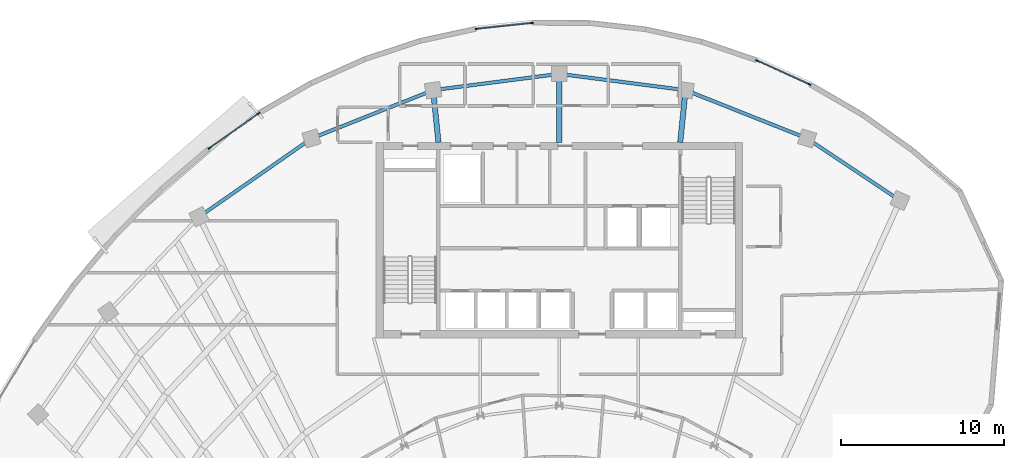
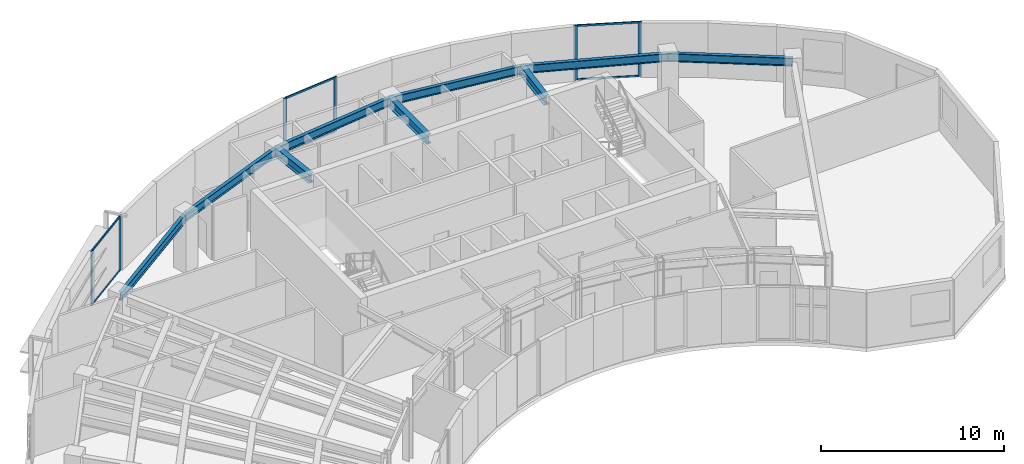
# One storey, part 4 of 12: 12 members, 9 beams, 3 elements without a shape of their own.
"""IFC4 building model written with IfcOpenShell, lengths in metres."""

import ifcopenshell
import ifcopenshell.guid

model = None  # the IFC model being written
_history = None  # IfcOwnerHistory: only IFC2X3 demands one
_inside = {}  # id of a spatial element -> (the spatial element, [elements in it])
_under = {}  # id of a project, library or spatial element -> (it, [spatial elements below it])
_declared = {}  # id of a project -> (the project, [libraries it declares])
_typed = {}  # id of a type object -> (the type object, [elements of that type])
_made_of = {}  # id of a material, layer set ... -> (it, [elements and type objects made of it])


def new_model(schema):
    """Start an empty IFC model of exactly this schema.

    Asked for "IFC4X3", IfcOpenShell would pick the latest addendum, in which some entities
    have other attributes; the version numbers below select the first issue.
    IFC2X3 requires an IfcOwnerHistory on every rooted entity: one is made here for all.
    """
    global model, _history
    if schema == "IFC4X3":
        model = ifcopenshell.file(schema_version=(4, 3, 0, 0))
    else:
        model = ifcopenshell.file(schema=schema)
    _inside.clear()
    _under.clear()
    _declared.clear()
    _typed.clear()
    _made_of.clear()
    _history = None
    if model.schema == "IFC2X3":
        org = make("IfcOrganization", Name="unknown")
        user = make(
            "IfcPersonAndOrganization",
            ThePerson=make("IfcPerson", FamilyName="unknown"),
            TheOrganization=org,
        )
        app = make(
            "IfcApplication",
            ApplicationDeveloper=org,
            Version="unknown",
            ApplicationFullName="unknown",
            ApplicationIdentifier="unknown",
        )
        _history = make(
            "IfcOwnerHistory",
            OwningUser=user,
            OwningApplication=app,
            ChangeAction="ADDED",
            CreationDate=0,
        )
    return model


def make(cls, **values):
    """One entity of the class cls with the attributes given. An attribute that is None is left unset."""
    return model.create_entity(
        cls, **{name: value for name, value in values.items() if value is not None}
    )


def rooted(cls, **values):
    """An entity with a GlobalId (a new one), such as an element, a storey or a relation."""
    return make(cls, GlobalId=ifcopenshell.guid.new(), OwnerHistory=_history, **values)


def si_unit(unit_type, name, prefix=None):
    """IfcSIUnit, for example si_unit("LENGTHUNIT", "METRE", prefix="MILLI")."""
    return make("IfcSIUnit", UnitType=unit_type, Prefix=prefix, Name=name)


def assignment(units):
    """IfcUnitAssignment: the units of a project."""
    return None if units is None else make("IfcUnitAssignment", Units=units)


def point(xyz):
    """IfcCartesianPoint."""
    return None if xyz is None else make("IfcCartesianPoint", Coordinates=xyz)


def direction(xyz):
    """IfcDirection."""
    return None if xyz is None else make("IfcDirection", DirectionRatios=xyz)


def frame(location, z_axis=None, x_axis=None):
    """IfcAxis2Placement3D, a coordinate frame: its origin and axes. An axis left out is left unset."""
    return make(
        "IfcAxis2Placement3D",
        Location=point(location),
        Axis=direction(z_axis),
        RefDirection=direction(x_axis),
    )


def frame_2d(location, x_axis=None):
    """IfcAxis2Placement2D, a coordinate frame in the plane: its origin and x axis."""
    return make(
        "IfcAxis2Placement2D", Location=point(location), RefDirection=direction(x_axis)
    )


def origin():
    """The frame at (0, 0, 0) with its axes left unset."""
    return frame((0.0, 0.0, 0.0))


def origin_2d():
    """The frame at (0, 0) in the plane with its x axis left unset."""
    return frame_2d((0.0, 0.0))


def place(relative_to, where):
    """IfcLocalPlacement: puts the frame where relative to a parent placement (None: the world)."""
    return make(
        "IfcLocalPlacement", PlacementRelTo=relative_to, RelativePlacement=where
    )


def context(
    kind, dimensions, precision=None, world=None, true_north=None, identifier=None
):
    """IfcGeometricRepresentationContext, for example the 3D "Model" context."""
    return make(
        "IfcGeometricRepresentationContext",
        ContextIdentifier=identifier,
        ContextType=kind,
        CoordinateSpaceDimension=dimensions,
        Precision=precision,
        WorldCoordinateSystem=world,
        TrueNorth=true_north,
    )


def subcontext(parent, identifier, kind, view, scale=None):
    """IfcGeometricRepresentationSubContext, for example "Body" below "Model"."""
    return make(
        "IfcGeometricRepresentationSubContext",
        ContextIdentifier=identifier,
        ContextType=kind,
        ParentContext=parent,
        TargetScale=scale,
        TargetView=view,
    )


def project(units=None, contexts=None):
    """IfcProject with its units and contexts."""
    return rooted(
        "IfcProject",
        Name="project",
        RepresentationContexts=contexts,
        UnitsInContext=assignment(units),
    )


def spatial(cls, under=None, at=None, **own):
    """A site, building, storey or space (cls), placed at a placement, below another one or the project."""
    s = rooted(cls, ObjectPlacement=at, **own)
    if under is not None:
        _under.setdefault(under.id(), (under, []))[1].append(s)
    return s


def profile(cls, at=None, kind="AREA", **sizes):
    """A parametric profile (cls). Its sizes go by their IFC names, for example OverallWidth=200.0."""
    return make(cls, ProfileType=kind, Position=at, **sizes)


def rectangle(**sizes):
    """IfcRectangleProfileDef."""
    return profile("IfcRectangleProfileDef", **sizes)


def i_section(**sizes):
    """IfcIShapeProfileDef."""
    return profile("IfcIShapeProfileDef", **sizes)


def extrude(swept, where, along, depth):
    """IfcExtrudedAreaSolid: the profile swept, set in the frame where, extruded along a direction by depth."""
    return make(
        "IfcExtrudedAreaSolid",
        SweptArea=swept,
        Position=where,
        ExtrudedDirection=direction(along),
        Depth=depth,
    )


def shape(context_of_items, identifier, shape_type, items):
    """IfcShapeRepresentation: the items that make up one representation, for example the "Body"."""
    return make(
        "IfcShapeRepresentation",
        ContextOfItems=context_of_items,
        RepresentationIdentifier=identifier,
        RepresentationType=shape_type,
        Items=items,
    )


def source(mapping_origin, context_of_items, identifier, shape_type, items):
    """IfcRepresentationMap: a shape defined once, which mapped items show again and again."""
    return make(
        "IfcRepresentationMap",
        MappingOrigin=mapping_origin,
        MappedRepresentation=shape(context_of_items, identifier, shape_type, items),
    )


def transform(
    local_origin,
    x_axis=None,
    y_axis=None,
    z_axis=None,
    scale=None,
    scale2=None,
    scale3=None,
    uniform=True,
):
    """IfcCartesianTransformationOperator3D, or its non-uniform kind. x_axis, y_axis, z_axis: its Axis1, 2, 3."""
    if uniform:
        return make(
            "IfcCartesianTransformationOperator3D",
            Axis1=direction(x_axis),
            Axis2=direction(y_axis),
            LocalOrigin=point(local_origin),
            Scale=scale,
            Axis3=direction(z_axis),
        )
    return make(
        "IfcCartesianTransformationOperator3DnonUniform",
        Axis1=direction(x_axis),
        Axis2=direction(y_axis),
        LocalOrigin=point(local_origin),
        Scale=scale,
        Axis3=direction(z_axis),
        Scale2=scale2,
        Scale3=scale3,
    )


def mapped(mapping_source, mapping_target):
    """IfcMappedItem: shows the shape of a source again, moved by a transform."""
    return make(
        "IfcMappedItem", MappingSource=mapping_source, MappingTarget=mapping_target
    )


def material(Name=None, Category=None):
    """IfcMaterial."""
    return make("IfcMaterial", Name=Name, Category=Category)


def layer(
    of_material, thickness, ventilated=None, Name=None, Category=None, Priority=None
):
    """IfcMaterialLayer: one layer of a wall or slab, of a material (None: an air gap)."""
    return make(
        "IfcMaterialLayer",
        Material=of_material,
        LayerThickness=thickness,
        IsVentilated=ventilated,
        Name=Name,
        Category=Category,
        Priority=Priority,
    )


def layer_set(layers, Name=None):
    """IfcMaterialLayerSet."""
    return make("IfcMaterialLayerSet", MaterialLayers=layers, LayerSetName=Name)


def material_profile(
    of_material, cross_section, Name=None, Category=None, Priority=None
):
    """IfcMaterialProfile: a cross section and its material."""
    return make(
        "IfcMaterialProfile",
        Name=Name,
        Material=of_material,
        Profile=cross_section,
        Priority=Priority,
        Category=Category,
    )


def profile_set(profiles, Name=None, composite=None):
    """IfcMaterialProfileSet."""
    return make(
        "IfcMaterialProfileSet",
        Name=Name,
        MaterialProfiles=profiles,
        CompositeProfile=composite,
    )


def made_of(thing, what):
    """Note that an element or type object is made of a material, layer set ...; save() writes the relation."""
    if what is not None:
        _made_of.setdefault(what.id(), (what, []))[1].append(thing)
    return thing


def type_object(cls, material=None, **own):
    """A type object (cls), such as IfcWallType, which elements share."""
    return made_of(rooted(cls, **own), material)


def element(
    cls,
    number,
    at=None,
    inside=None,
    cuts=None,
    type_object=None,
    material=None,
    context=None,
    identifier="Body",
    shape_type=None,
    held_by="IfcProductDefinitionShape",
    body=None,
    shapes=None,
    **own,
):
    """One element of the class cls, such as IfcWall. Its Tag is "e" and its number.

    at: its placement. inside: the storey or other place that contains it. cuts: it is an
    opening in that element (IfcRelVoidsElement). A single representation is given by context,
    identifier, shape_type and body (its items); several are given by shapes. held_by: the class
    of the entity that holds the representations. save() writes the other relations.
    """
    e = rooted(cls, Tag="e%d" % number, ObjectPlacement=at, **own)
    if body is not None:
        shapes = [shape(context, identifier, shape_type, body)]
    if shapes is not None:
        e.Representation = make(held_by, Representations=shapes)
    if inside is not None:
        _inside.setdefault(inside.id(), (inside, []))[1].append(e)
    if cuts is not None:
        rooted(
            "IfcRelVoidsElement", RelatingBuildingElement=cuts, RelatedOpeningElement=e
        )
    if type_object is not None:
        _typed.setdefault(type_object.id(), (type_object, []))[1].append(e)
    return made_of(e, material)


def aggregate(whole, parts):
    """IfcRelAggregates: a whole, such as a stair, and the parts it consists of."""
    return rooted("IfcRelAggregates", RelatingObject=whole, RelatedObjects=parts)


def save(model, path):
    """Write the relations noted so far, then the file.

    IfcRelAggregates (storeys below a building ...), IfcRelContainedInSpatialStructure (elements
    in a storey), IfcRelDefinesByType, IfcRelAssociatesMaterial and IfcRelDeclares: one each for
    every whole, place, type object, material and project.
    """
    for whole, parts in _under.values():
        aggregate(whole, parts)
    for where, things in _inside.values():
        rooted(
            "IfcRelContainedInSpatialStructure",
            RelatedElements=things,
            RelatingStructure=where,
        )
    for kind, things in _typed.values():
        rooted("IfcRelDefinesByType", RelatedObjects=things, RelatingType=kind)
    for what, things in _made_of.values():
        rooted("IfcRelAssociatesMaterial", RelatedObjects=things, RelatingMaterial=what)
    for by, libraries in _declared.values():
        rooted("IfcRelDeclares", RelatingContext=by, RelatedDefinitions=libraries)
    model.write(path)


model = new_model("IFC4")

# Units and contexts
model_context = context("Model", 3, precision=1e-05, world=origin(), true_north=direction((0.0, 1.0)))
body_context = subcontext(model_context, "Body", "Model", "MODEL_VIEW")
ifc_project = project(units=[si_unit("LENGTHUNIT", "METRE"), si_unit("AREAUNIT", "SQUARE_METRE"), si_unit("VOLUMEUNIT", "CUBIC_METRE"), si_unit("PLANEANGLEUNIT", "RADIAN"), si_unit("MASSUNIT", "GRAM", prefix="KILO")], contexts=[model_context])

# Site, building, storey
site_placement = place(None, origin())
site = spatial("IfcSite", under=ifc_project, at=site_placement, CompositionType="ELEMENT")
building_placement = place(site_placement, origin())
building = spatial("IfcBuilding", under=site, at=building_placement, Name="Breltana Convention Tower", CompositionType="ELEMENT")
storey_placement = place(building_placement, frame((0.0, 0.0, 243.0)))
storey = spatial("IfcBuildingStorey", under=building, at=storey_placement, Name="L59", CompositionType="ELEMENT", Elevation=243.0)

# Beams
ifc_material_1 = material(Name="Steel ASTM A992 Grade 50", Category="steel")
ifc_material_profile_1 = material_profile(ifc_material_1, i_section(OverallWidth=0.326904296875, OverallDepth=0.6220703125, WebThickness=0.015380859375, FlangeThickness=0.0244140625, at=origin_2d()), Name="W24X131")
ifc_profile_set_1 = profile_set([ifc_material_profile_1], Name="Steel ASTM A992 Grade 50")
beam_type_1 = type_object("IfcBeamType", Name="BM-RG-W24X131", PredefinedType="USERDEFINED", material=ifc_profile_set_1)
shared_shape_1 = source(origin(), body_context, "Body", "SweptSolid", [
    extrude(i_section(OverallWidth=0.326904296875, OverallDepth=0.6220703125, WebThickness=0.015380859375, FlangeThickness=0.0244140625, at=origin_2d()), origin(), (0.0, 0.0, 1.0), 3.220947265625),
])
for number, where, z_axis, x_axis, name in (
    (1, (40.580078125, 72.199951171875, 3.339111328125), (-0.101492254858, 0.994836329355, 0.0), (-0.994836329355, -0.101492254858, 0.0), "L59 North Core Radial Girder R05"),
    (2, (55.419921875, 72.199951171875, 3.339111328125), (0.101492254858, 0.994836329355, 0.0), (-0.994836329355, 0.101492254858, 0.0), "L59 North Core Radial Girder R07"),
):
    element("IfcBeam", number, at=place(storey_placement, frame(where, z_axis=z_axis, x_axis=x_axis)), inside=storey, type_object=beam_type_1, Name=name, ObjectType="GIRDER", PredefinedType="USERDEFINED", context=body_context, shape_type="MappedRepresentation", body=[
        mapped(shared_shape_1, transform((0.0, 0.0, 0.0), scale=1.0)),
    ])
shared_shape_2 = source(origin(), body_context, "Body", "SweptSolid", [
    extrude(i_section(OverallWidth=0.326904296875, OverallDepth=0.6220703125, WebThickness=0.015380859375, FlangeThickness=0.0244140625, at=origin_2d()), origin(), (0.0, 0.0, 1.0), 4.2041015625),
])
beam_1_placement = place(storey_placement, frame((48.0, 72.199951171875, 3.339111328125), z_axis=(0.0, 1.0, 0.0), x_axis=(-1.0, 0.0, 0.0)))
element("IfcBeam", 3, at=beam_1_placement, inside=storey, type_object=beam_type_1, Name="L59 North Core Radial Girder R06", ObjectType="GIRDER", PredefinedType="USERDEFINED", context=body_context, shape_type="MappedRepresentation", body=[
    mapped(shared_shape_2, transform((0.0, 0.0, 0.0), scale=1.0)),
])
ifc_material_profile_2 = material_profile(ifc_material_1, i_section(OverallWidth=0.214111328125, OverallDepth=0.549072265625, WebThickness=0.0146484375, FlangeThickness=0.023681640625, at=origin_2d()), Name="W21X93")
ifc_profile_set_2 = profile_set([ifc_material_profile_2], Name="Steel ASTM A992 Grade 50")
beam_type_2 = type_object("IfcBeamType", Name="BM-SP-W21X93", PredefinedType="SPANDREL", material=ifc_profile_set_2)
shared_shape_3 = source(origin(), body_context, "Body", "SweptSolid", [
    extrude(i_section(OverallWidth=0.214111328125, OverallDepth=0.549072265625, WebThickness=0.0146484375, FlangeThickness=0.023681640625, at=origin_2d()), origin(), (0.0, 0.0, 1.0), 8.4169921875),
])
beam_2_placement = place(storey_placement, frame((25.8876953125, 67.626953125, 3.37548828125), z_axis=(0.820173800102, 0.572114444519, 0.0), x_axis=(-0.572114444519, 0.820173800102, 0.0)))
element("IfcBeam", 4, at=beam_2_placement, inside=storey, type_object=beam_type_2, Name="L59 Outer Spandrel Beam 03", PredefinedType="SPANDREL", context=body_context, shape_type="MappedRepresentation", body=[
    mapped(shared_shape_3, transform((0.0, 0.0, 0.0), scale=1.0)),
])
shared_shape_4 = source(origin(), body_context, "Body", "SweptSolid", [
    extrude(i_section(OverallWidth=0.214111328125, OverallDepth=0.549072265625, WebThickness=0.0146484375, FlangeThickness=0.023681640625, at=origin_2d()), origin(), (0.0, 0.0, 1.0), 8.028564453125),
])
for number, where, z_axis, x_axis, name in (
    (5, (32.791015625, 72.4423828125, 3.37548828125), (0.929459100394, 0.368925169507, 0.0), (-0.368925169507, 0.929459100394, 0.0), "L59 Outer Spandrel Beam 04"),
    (6, (55.746826171875, 75.404296875, 3.37548828125), (0.929459100394, -0.368925169507, 0.0), (0.368925169507, 0.929459100394, 0.0), "L59 Outer Spandrel Beam 07"),
):
    element("IfcBeam", number, at=place(storey_placement, frame(where, z_axis=z_axis, x_axis=x_axis)), inside=storey, type_object=beam_type_2, Name=name, PredefinedType="SPANDREL", context=body_context, shape_type="MappedRepresentation", body=[
        mapped(shared_shape_4, transform((0.0, 0.0, 0.0), scale=1.0)),
    ])
shared_shape_5 = source(origin(), body_context, "Body", "SweptSolid", [
    extrude(i_section(OverallWidth=0.214111328125, OverallDepth=0.549072265625, WebThickness=0.0146484375, FlangeThickness=0.023681640625, at=origin_2d()), origin(), (0.0, 0.0, 1.0), 7.81103515625),
])
for number, where, z_axis, x_axis, name in (
    (7, (40.253173828125, 75.404296875, 3.37548828125), (0.991775179127, 0.127992164083, 0.0), (-0.127992164083, 0.991775179127, 0.0), "L59 Outer Spandrel Beam 05"),
    (8, (48.0, 76.404052734375, 3.37548828125), (0.991775179127, -0.127992164083, 0.0), (0.127992164083, 0.991775179127, 0.0), "L59 Outer Spandrel Beam 06"),
):
    element("IfcBeam", number, at=place(storey_placement, frame(where, z_axis=z_axis, x_axis=x_axis)), inside=storey, type_object=beam_type_2, Name=name, PredefinedType="SPANDREL", context=body_context, shape_type="MappedRepresentation", body=[
        mapped(shared_shape_5, transform((0.0, 0.0, 0.0), scale=1.0)),
    ])
shared_shape_6 = source(origin(), body_context, "Body", "SweptSolid", [
    extrude(i_section(OverallWidth=0.214111328125, OverallDepth=0.549072265625, WebThickness=0.0146484375, FlangeThickness=0.023681640625, at=origin_2d()), origin(), (0.0, 0.0, 1.0), 6.856689453125),
])
beam_3_placement = place(storey_placement, frame((63.208984375, 72.4423828125, 3.37548828125), z_axis=(0.83150210718, -0.55552159792, 0.0), x_axis=(0.55552159792, 0.83150210718, 0.0)))
element("IfcBeam", 9, at=beam_3_placement, inside=storey, type_object=beam_type_2, Name="L59 Outer Spandrel Beam 08", PredefinedType="SPANDREL", context=body_context, shape_type="MappedRepresentation", body=[
    mapped(shared_shape_6, transform((0.0, 0.0, 0.0), scale=1.0)),
])

# Curtain wall, members
ifc_material_2 = material(Name="Aluminium Anodised Bronze Frame", Category="aluminium")
ifc_layer = layer(ifc_material_2, 0.219970703125, Name="Aluminium Anodised Bronze Frame")
ifc_layer_set = layer_set([ifc_layer], Name="Aluminium Anodised Bronze Frame")
curtain_wall_type = type_object("IfcCurtainWallType", Name="CW-SYS-4", PredefinedType="NOTDEFINED", material=ifc_layer_set)
curtain_wall_1_placement = place(storey_placement, origin())
curtain_wall_1 = element("IfcCurtainWall", 10, at=curtain_wall_1_placement, inside=storey, type_object=curtain_wall_type, Name="L59 outer double-skin inner glazing 2", PredefinedType="NOTDEFINED")
ifc_material_3 = material(Name="Aluminium Anodised Bronze", Category="aluminium")
ifc_material_profile_3 = material_profile(ifc_material_3, rectangle(XDim=0.080078125, YDim=0.199951171875, at=origin_2d()), Name="CWM-80X200")
ifc_profile_set_3 = profile_set([ifc_material_profile_3], Name="Aluminium Anodised Bronze")
member_type_1 = type_object("IfcMemberType", Name="CWM-200", PredefinedType="MULLION", material=ifc_profile_set_3)
shared_shape_7 = source(origin(), body_context, "Body", "SweptSolid", [
    extrude(rectangle(XDim=0.080078125, YDim=0.199951171875, at=origin_2d()), origin(), (0.0, 0.0, 1.0), 3.64990234375),
])
member_1_placement = place(storey_placement, frame((26.528076171875, 71.8466796875, 0.0), z_axis=(0.0, 0.0, 1.0), x_axis=(-0.576624880786, 0.817009024955, 0.0)))
member_1 = element("IfcMember", 11, at=member_1_placement, type_object=member_type_1, Name="CW-04 mullion 1", PredefinedType="MULLION", context=body_context, shape_type="MappedRepresentation", body=[
    mapped(shared_shape_7, transform((0.0, 0.0, 0.0), scale=1.0)),
])
member_2_placement = place(storey_placement, frame((29.54296875, 73.974609375, 0.0), z_axis=(0.0, 0.0, 1.0), x_axis=(-0.576624880786, 0.817009024955, 0.0)))
member_2 = element("IfcMember", 12, at=member_2_placement, type_object=member_type_1, Name="CW-04 mullion 2", PredefinedType="MULLION", context=body_context, shape_type="MappedRepresentation", body=[
    mapped(shared_shape_7, transform((0.0, 0.0, 0.0), scale=1.0)),
])

curtain_wall_2_placement = place(storey_placement, origin())
curtain_wall_2 = element("IfcCurtainWall", 13, at=curtain_wall_2_placement, inside=storey, type_object=curtain_wall_type, Name="L59 outer double-skin inner glazing 3", PredefinedType="NOTDEFINED")
member_3_placement = place(storey_placement, frame((42.927734375, 79.16796875, 0.0), z_axis=(0.0, 0.0, 1.0), x_axis=(-0.105471640654, 0.994422311203, 0.0)))
member_3 = element("IfcMember", 14, at=member_3_placement, type_object=member_type_1, Name="CW-04 mullion 1", PredefinedType="MULLION", context=body_context, shape_type="MappedRepresentation", body=[
    mapped(shared_shape_7, transform((0.0, 0.0, 0.0), scale=1.0)),
])
member_4_placement = place(storey_placement, frame((46.31494140625, 79.527099609375, 0.0), z_axis=(0.0, 0.0, 1.0), x_axis=(-0.105471640654, 0.994422311203, 0.0)))
member_4 = element("IfcMember", 15, at=member_4_placement, type_object=member_type_1, Name="CW-04 mullion 2", PredefinedType="MULLION", context=body_context, shape_type="MappedRepresentation", body=[
    mapped(shared_shape_7, transform((0.0, 0.0, 0.0), scale=1.0)),
])

curtain_wall_3_placement = place(storey_placement, origin())
curtain_wall_3 = element("IfcCurtainWall", 16, at=curtain_wall_3_placement, inside=storey, type_object=curtain_wall_type, Name="L59 outer double-skin inner glazing 4", PredefinedType="NOTDEFINED")
member_5_placement = place(storey_placement, frame((60.13916015625, 77.219970703125, 0.0), z_axis=(0.0, 0.0, 1.0), x_axis=(0.413538566823, 0.910486602729, 0.0)))
member_5 = element("IfcMember", 17, at=member_5_placement, type_object=member_type_1, Name="CW-04 mullion 1", PredefinedType="MULLION", context=body_context, shape_type="MappedRepresentation", body=[
    mapped(shared_shape_7, transform((0.0, 0.0, 0.0), scale=1.0)),
])
member_6_placement = place(storey_placement, frame((63.36181640625, 75.75634765625, 0.0), z_axis=(0.0, 0.0, 1.0), x_axis=(0.413538566823, 0.910486602729, 0.0)))
member_6 = element("IfcMember", 18, at=member_6_placement, type_object=member_type_1, Name="CW-04 mullion 2", PredefinedType="MULLION", context=body_context, shape_type="MappedRepresentation", body=[
    mapped(shared_shape_7, transform((0.0, 0.0, 0.0), scale=1.0)),
])

# Member
ifc_material_profile_4 = material_profile(ifc_material_3, rectangle(XDim=0.070068359375, YDim=0.1201171875, at=origin_2d()), Name="CWT-70X120")
ifc_profile_set_4 = profile_set([ifc_material_profile_4], Name="Aluminium Anodised Bronze")
member_type_2 = type_object("IfcMemberType", Name="CWT-120", PredefinedType="USERDEFINED", material=ifc_profile_set_4)
shared_shape_8 = source(origin(), body_context, "Body", "SweptSolid", [
    extrude(rectangle(XDim=0.070068359375, YDim=0.1201171875, at=origin_2d()), origin(), (0.0, 0.0, 1.0), 3.610107421875),
])
member_7_placement = place(storey_placement, frame((26.560791015625, 71.86962890625, 0.034912109375), z_axis=(0.816992226712, 0.576648681167, 0.0), x_axis=(-0.576648681167, 0.816992226712, 0.0)))
member_7 = element("IfcMember", 19, at=member_7_placement, type_object=member_type_2, Name="CW-04 transom 1.1", ObjectType="TRANSOM", PredefinedType="USERDEFINED", context=body_context, shape_type="MappedRepresentation", body=[
    mapped(shared_shape_8, transform((0.0, 0.0, 0.0), scale=1.0)),
])

member_8_placement = place(storey_placement, frame((26.560791015625, 71.86962890625, 3.614990234375), z_axis=(0.816992226712, 0.576648681167, 0.0), x_axis=(-0.576648681167, 0.816992226712, 0.0)))
member_8 = element("IfcMember", 20, at=member_8_placement, type_object=member_type_2, Name="CW-04 transom 1.2", ObjectType="TRANSOM", PredefinedType="USERDEFINED", context=body_context, shape_type="MappedRepresentation", body=[
    mapped(shared_shape_8, transform((0.0, 0.0, 0.0), scale=1.0)),
])

aggregate(curtain_wall_1, [member_1, member_2, member_7, member_8])

shared_shape_9 = source(origin(), body_context, "Body", "SweptSolid", [
    extrude(rectangle(XDim=0.070068359375, YDim=0.1201171875, at=origin_2d()), origin(), (0.0, 0.0, 1.0), 3.326171875),
])
member_9_placement = place(storey_placement, frame((42.967529296875, 79.172119140625, 0.034912109375), z_axis=(0.994421884836, 0.105475660504, 0.0), x_axis=(-0.105475660504, 0.994421884836, 0.0)))
member_9 = element("IfcMember", 21, at=member_9_placement, type_object=member_type_2, Name="CW-04 transom 1.1", ObjectType="TRANSOM", PredefinedType="USERDEFINED", context=body_context, shape_type="MappedRepresentation", body=[
    mapped(shared_shape_9, transform((0.0, 0.0, 0.0), scale=1.0)),
])

member_10_placement = place(storey_placement, frame((42.967529296875, 79.172119140625, 3.614990234375), z_axis=(0.994421884836, 0.105475660504, 0.0), x_axis=(-0.105475660504, 0.994421884836, 0.0)))
member_10 = element("IfcMember", 22, at=member_10_placement, type_object=member_type_2, Name="CW-04 transom 1.2", ObjectType="TRANSOM", PredefinedType="USERDEFINED", context=body_context, shape_type="MappedRepresentation", body=[
    mapped(shared_shape_9, transform((0.0, 0.0, 0.0), scale=1.0)),
])

aggregate(curtain_wall_2, [member_3, member_4, member_9, member_10])

shared_shape_10 = source(origin(), body_context, "Body", "SweptSolid", [
    extrude(rectangle(XDim=0.070068359375, YDim=0.1201171875, at=origin_2d()), origin(), (0.0, 0.0, 1.0), 3.45947265625),
])
member_11_placement = place(storey_placement, frame((60.175537109375, 77.203369140625, 0.034912109375), z_axis=(0.910487276777, -0.413537082771, 0.0), x_axis=(0.413537082771, 0.910487276777, 0.0)))
member_11 = element("IfcMember", 23, at=member_11_placement, type_object=member_type_2, Name="CW-04 transom 1.1", ObjectType="TRANSOM", PredefinedType="USERDEFINED", context=body_context, shape_type="MappedRepresentation", body=[
    mapped(shared_shape_10, transform((0.0, 0.0, 0.0), scale=1.0)),
])

member_12_placement = place(storey_placement, frame((60.175537109375, 77.203369140625, 3.614990234375), z_axis=(0.910487276777, -0.413537082771, 0.0), x_axis=(0.413537082771, 0.910487276777, 0.0)))
member_12 = element("IfcMember", 24, at=member_12_placement, type_object=member_type_2, Name="CW-04 transom 1.2", ObjectType="TRANSOM", PredefinedType="USERDEFINED", context=body_context, shape_type="MappedRepresentation", body=[
    mapped(shared_shape_10, transform((0.0, 0.0, 0.0), scale=1.0)),
])

aggregate(curtain_wall_3, [member_5, member_6, member_11, member_12])

save(model, "model.ifc")
